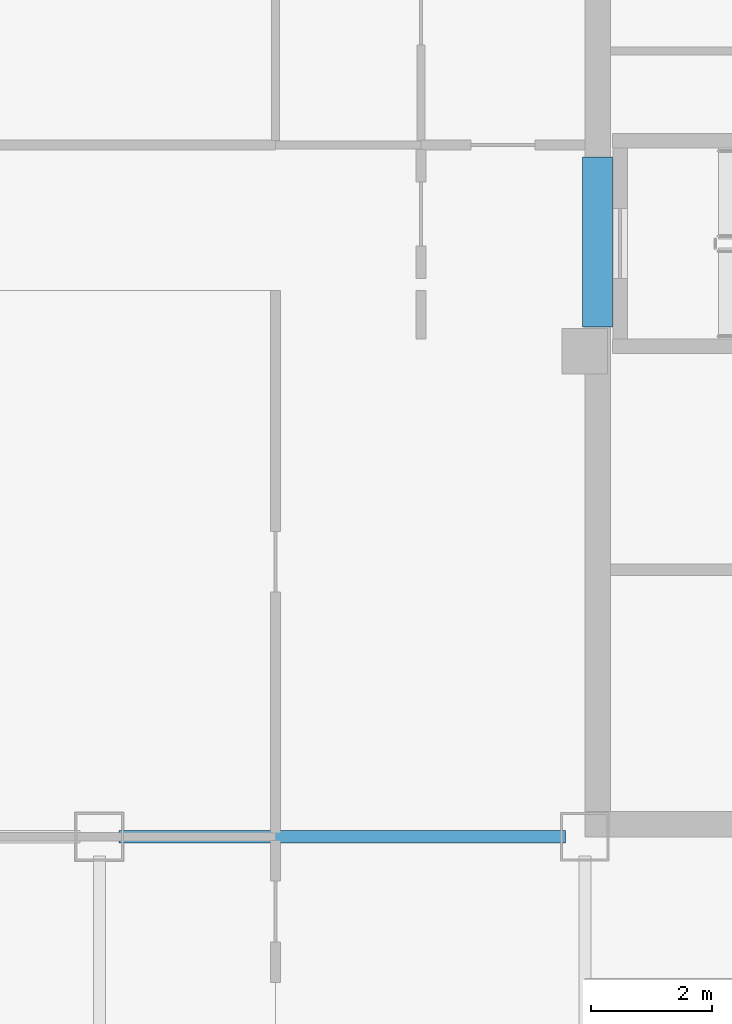
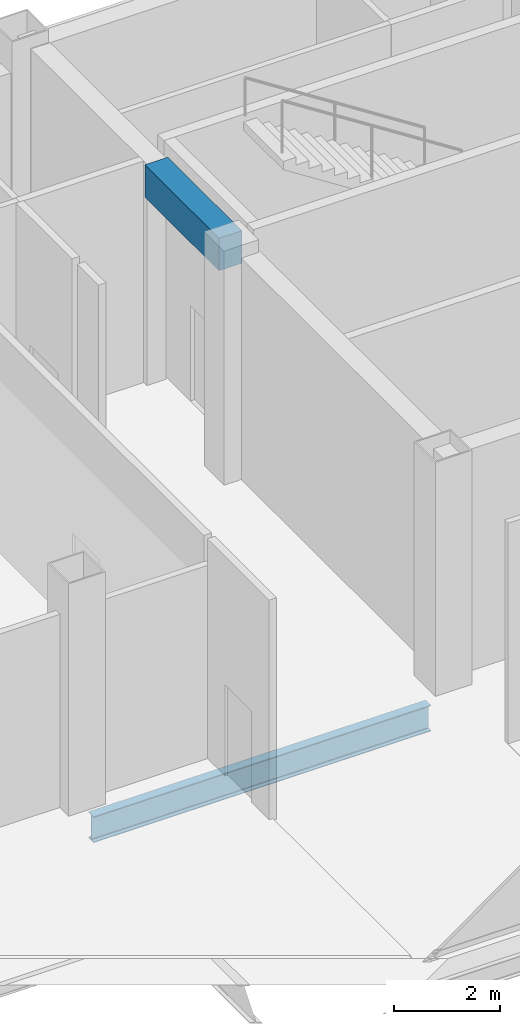
# One storey, part 7 of 17: 2 beams.
"""IFC4 building model written with IfcOpenShell, lengths in metres."""

import ifcopenshell
import ifcopenshell.guid

model = None  # the IFC model being written
_history = None  # IfcOwnerHistory: only IFC2X3 demands one
_inside = {}  # id of a spatial element -> (the spatial element, [elements in it])
_under = {}  # id of a project, library or spatial element -> (it, [spatial elements below it])
_declared = {}  # id of a project -> (the project, [libraries it declares])
_typed = {}  # id of a type object -> (the type object, [elements of that type])
_made_of = {}  # id of a material, layer set ... -> (it, [elements and type objects made of it])


def new_model(schema):
    """Start an empty IFC model of exactly this schema.

    Asked for "IFC4X3", IfcOpenShell would pick the latest addendum, in which some entities
    have other attributes; the version numbers below select the first issue.
    IFC2X3 requires an IfcOwnerHistory on every rooted entity: one is made here for all.
    """
    global model, _history
    if schema == "IFC4X3":
        model = ifcopenshell.file(schema_version=(4, 3, 0, 0))
    else:
        model = ifcopenshell.file(schema=schema)
    _inside.clear()
    _under.clear()
    _declared.clear()
    _typed.clear()
    _made_of.clear()
    _history = None
    if model.schema == "IFC2X3":
        org = make("IfcOrganization", Name="unknown")
        user = make(
            "IfcPersonAndOrganization",
            ThePerson=make("IfcPerson", FamilyName="unknown"),
            TheOrganization=org,
        )
        app = make(
            "IfcApplication",
            ApplicationDeveloper=org,
            Version="unknown",
            ApplicationFullName="unknown",
            ApplicationIdentifier="unknown",
        )
        _history = make(
            "IfcOwnerHistory",
            OwningUser=user,
            OwningApplication=app,
            ChangeAction="ADDED",
            CreationDate=0,
        )
    return model


def make(cls, **values):
    """One entity of the class cls with the attributes given. An attribute that is None is left unset."""
    return model.create_entity(
        cls, **{name: value for name, value in values.items() if value is not None}
    )


def rooted(cls, **values):
    """An entity with a GlobalId (a new one), such as an element, a storey or a relation."""
    return make(cls, GlobalId=ifcopenshell.guid.new(), OwnerHistory=_history, **values)


def si_unit(unit_type, name, prefix=None):
    """IfcSIUnit, for example si_unit("LENGTHUNIT", "METRE", prefix="MILLI")."""
    return make("IfcSIUnit", UnitType=unit_type, Prefix=prefix, Name=name)


def assignment(units):
    """IfcUnitAssignment: the units of a project."""
    return None if units is None else make("IfcUnitAssignment", Units=units)


def point(xyz):
    """IfcCartesianPoint."""
    return None if xyz is None else make("IfcCartesianPoint", Coordinates=xyz)


def direction(xyz):
    """IfcDirection."""
    return None if xyz is None else make("IfcDirection", DirectionRatios=xyz)


def frame(location, z_axis=None, x_axis=None):
    """IfcAxis2Placement3D, a coordinate frame: its origin and axes. An axis left out is left unset."""
    return make(
        "IfcAxis2Placement3D",
        Location=point(location),
        Axis=direction(z_axis),
        RefDirection=direction(x_axis),
    )


def frame_2d(location, x_axis=None):
    """IfcAxis2Placement2D, a coordinate frame in the plane: its origin and x axis."""
    return make(
        "IfcAxis2Placement2D", Location=point(location), RefDirection=direction(x_axis)
    )


def origin():
    """The frame at (0, 0, 0) with its axes left unset."""
    return frame((0.0, 0.0, 0.0))


def origin_2d():
    """The frame at (0, 0) in the plane with its x axis left unset."""
    return frame_2d((0.0, 0.0))


def place(relative_to, where):
    """IfcLocalPlacement: puts the frame where relative to a parent placement (None: the world)."""
    return make(
        "IfcLocalPlacement", PlacementRelTo=relative_to, RelativePlacement=where
    )


def context(
    kind, dimensions, precision=None, world=None, true_north=None, identifier=None
):
    """IfcGeometricRepresentationContext, for example the 3D "Model" context."""
    return make(
        "IfcGeometricRepresentationContext",
        ContextIdentifier=identifier,
        ContextType=kind,
        CoordinateSpaceDimension=dimensions,
        Precision=precision,
        WorldCoordinateSystem=world,
        TrueNorth=true_north,
    )


def subcontext(parent, identifier, kind, view, scale=None):
    """IfcGeometricRepresentationSubContext, for example "Body" below "Model"."""
    return make(
        "IfcGeometricRepresentationSubContext",
        ContextIdentifier=identifier,
        ContextType=kind,
        ParentContext=parent,
        TargetScale=scale,
        TargetView=view,
    )


def project(units=None, contexts=None):
    """IfcProject with its units and contexts."""
    return rooted(
        "IfcProject",
        Name="project",
        RepresentationContexts=contexts,
        UnitsInContext=assignment(units),
    )


def spatial(cls, under=None, at=None, **own):
    """A site, building, storey or space (cls), placed at a placement, below another one or the project."""
    s = rooted(cls, ObjectPlacement=at, **own)
    if under is not None:
        _under.setdefault(under.id(), (under, []))[1].append(s)
    return s


def profile(cls, at=None, kind="AREA", **sizes):
    """A parametric profile (cls). Its sizes go by their IFC names, for example OverallWidth=200.0."""
    return make(cls, ProfileType=kind, Position=at, **sizes)


def rectangle(**sizes):
    """IfcRectangleProfileDef."""
    return profile("IfcRectangleProfileDef", **sizes)


def i_section(**sizes):
    """IfcIShapeProfileDef."""
    return profile("IfcIShapeProfileDef", **sizes)


def extrude(swept, where, along, depth):
    """IfcExtrudedAreaSolid: the profile swept, set in the frame where, extruded along a direction by depth."""
    return make(
        "IfcExtrudedAreaSolid",
        SweptArea=swept,
        Position=where,
        ExtrudedDirection=direction(along),
        Depth=depth,
    )


def shape(context_of_items, identifier, shape_type, items):
    """IfcShapeRepresentation: the items that make up one representation, for example the "Body"."""
    return make(
        "IfcShapeRepresentation",
        ContextOfItems=context_of_items,
        RepresentationIdentifier=identifier,
        RepresentationType=shape_type,
        Items=items,
    )


def material(Name=None, Category=None):
    """IfcMaterial."""
    return make("IfcMaterial", Name=Name, Category=Category)


def material_profile(
    of_material, cross_section, Name=None, Category=None, Priority=None
):
    """IfcMaterialProfile: a cross section and its material."""
    return make(
        "IfcMaterialProfile",
        Name=Name,
        Material=of_material,
        Profile=cross_section,
        Priority=Priority,
        Category=Category,
    )


def profile_set(profiles, Name=None, composite=None):
    """IfcMaterialProfileSet."""
    return make(
        "IfcMaterialProfileSet",
        Name=Name,
        MaterialProfiles=profiles,
        CompositeProfile=composite,
    )


def made_of(thing, what):
    """Note that an element or type object is made of a material, layer set ...; save() writes the relation."""
    if what is not None:
        _made_of.setdefault(what.id(), (what, []))[1].append(thing)
    return thing


def type_object(cls, material=None, **own):
    """A type object (cls), such as IfcWallType, which elements share."""
    return made_of(rooted(cls, **own), material)


def element(
    cls,
    number,
    at=None,
    inside=None,
    cuts=None,
    type_object=None,
    material=None,
    context=None,
    identifier="Body",
    shape_type=None,
    held_by="IfcProductDefinitionShape",
    body=None,
    shapes=None,
    **own,
):
    """One element of the class cls, such as IfcWall. Its Tag is "e" and its number.

    at: its placement. inside: the storey or other place that contains it. cuts: it is an
    opening in that element (IfcRelVoidsElement). A single representation is given by context,
    identifier, shape_type and body (its items); several are given by shapes. held_by: the class
    of the entity that holds the representations. save() writes the other relations.
    """
    e = rooted(cls, Tag="e%d" % number, ObjectPlacement=at, **own)
    if body is not None:
        shapes = [shape(context, identifier, shape_type, body)]
    if shapes is not None:
        e.Representation = make(held_by, Representations=shapes)
    if inside is not None:
        _inside.setdefault(inside.id(), (inside, []))[1].append(e)
    if cuts is not None:
        rooted(
            "IfcRelVoidsElement", RelatingBuildingElement=cuts, RelatedOpeningElement=e
        )
    if type_object is not None:
        _typed.setdefault(type_object.id(), (type_object, []))[1].append(e)
    return made_of(e, material)


def aggregate(whole, parts):
    """IfcRelAggregates: a whole, such as a stair, and the parts it consists of."""
    return rooted("IfcRelAggregates", RelatingObject=whole, RelatedObjects=parts)


def save(model, path):
    """Write the relations noted so far, then the file.

    IfcRelAggregates (storeys below a building ...), IfcRelContainedInSpatialStructure (elements
    in a storey), IfcRelDefinesByType, IfcRelAssociatesMaterial and IfcRelDeclares: one each for
    every whole, place, type object, material and project.
    """
    for whole, parts in _under.values():
        aggregate(whole, parts)
    for where, things in _inside.values():
        rooted(
            "IfcRelContainedInSpatialStructure",
            RelatedElements=things,
            RelatingStructure=where,
        )
    for kind, things in _typed.values():
        rooted("IfcRelDefinesByType", RelatedObjects=things, RelatingType=kind)
    for what, things in _made_of.values():
        rooted("IfcRelAssociatesMaterial", RelatedObjects=things, RelatingMaterial=what)
    for by, libraries in _declared.values():
        rooted("IfcRelDeclares", RelatingContext=by, RelatedDefinitions=libraries)
    model.write(path)


model = new_model("IFC4")

# Units and contexts
model_context = context("Model", 3, precision=1e-05, world=origin(), true_north=direction((0.0, 1.0)))
body_context = subcontext(model_context, "Body", "Model", "MODEL_VIEW")
ifc_project = project(units=[si_unit("LENGTHUNIT", "METRE"), si_unit("AREAUNIT", "SQUARE_METRE"), si_unit("VOLUMEUNIT", "CUBIC_METRE"), si_unit("PLANEANGLEUNIT", "RADIAN"), si_unit("MASSUNIT", "GRAM", prefix="KILO")], contexts=[model_context])

# Site, building, storey
site_placement = place(None, origin())
site = spatial("IfcSite", under=ifc_project, at=site_placement, CompositionType="ELEMENT")
building_placement = place(site_placement, origin())
building = spatial("IfcBuilding", under=site, at=building_placement, Name="Qianrong Seaharbour Tower", CompositionType="ELEMENT")
storey_placement = place(building_placement, frame((0.0, 0.0, 373.0)))
storey = spatial("IfcBuildingStorey", under=building, at=storey_placement, Name="L90", CompositionType="ELEMENT", Elevation=373.0)

# Beams
ifc_material_1 = material(Name="Structural steel SN490B", Category="steel")
ifc_material_profile_1 = material_profile(ifc_material_1, i_section(OverallWidth=0.199951171875, OverallDepth=0.60009765625, WebThickness=0.010986328125, FlangeThickness=0.01708984375, FilletRadius=0.02197265625, at=origin_2d()), Name="H600x200x11x17")
ifc_profile_set_1 = profile_set([ifc_material_profile_1], Name="Structural steel SN490B")
beam_type_1 = type_object("IfcBeamType", Name="BM-G-600", PredefinedType="BEAM", material=ifc_profile_set_1)
beam_1_placement = place(storey_placement, frame((32.820068359375, 36.0, -0.7099609375), z_axis=(1.0, 0.0, 0.0), x_axis=(0.0, 1.0, 0.0)))
element("IfcBeam", 1, at=beam_1_placement, inside=storey, type_object=beam_type_1, Name="L90 Primary Girder GF G5-G6", PredefinedType="BEAM", context=body_context, shape_type="SweptSolid", body=[
    extrude(i_section(OverallWidth=0.199951171875, OverallDepth=0.60009765625, WebThickness=0.010986328125, FlangeThickness=0.01708984375, FilletRadius=0.02197265625, at=origin_2d()), origin(), (0.0, 0.0, 1.0), 7.35986328125),
])
ifc_material_2 = material(Name="Concrete C60/75", Category="concrete")
ifc_material_profile_2 = material_profile(ifc_material_2, rectangle(XDim=0.5, YDim=0.75, at=origin_2d()), Name="RC500x750")
ifc_profile_set_2 = profile_set([ifc_material_profile_2], Name="Concrete C60/75")
beam_type_2 = type_object("IfcBeamType", Name="BM-LINTEL-750", PredefinedType="LINTEL", material=ifc_profile_set_2)
beam_2_placement = place(storey_placement, frame((40.7099609375, 44.39990234375, 4.735107421875), z_axis=(0.0, 1.0, 0.0), x_axis=(-1.0, 0.0, 0.0)))
element("IfcBeam", 2, at=beam_2_placement, inside=storey, type_object=beam_type_2, Name="L90 Core Coupling Lintel Beam West", PredefinedType="LINTEL", context=body_context, shape_type="SweptSolid", body=[
    extrude(rectangle(XDim=0.5, YDim=0.75, at=origin_2d()), origin(), (0.0, 0.0, 1.0), 2.800048828125),
])

save(model, "model.ifc")
